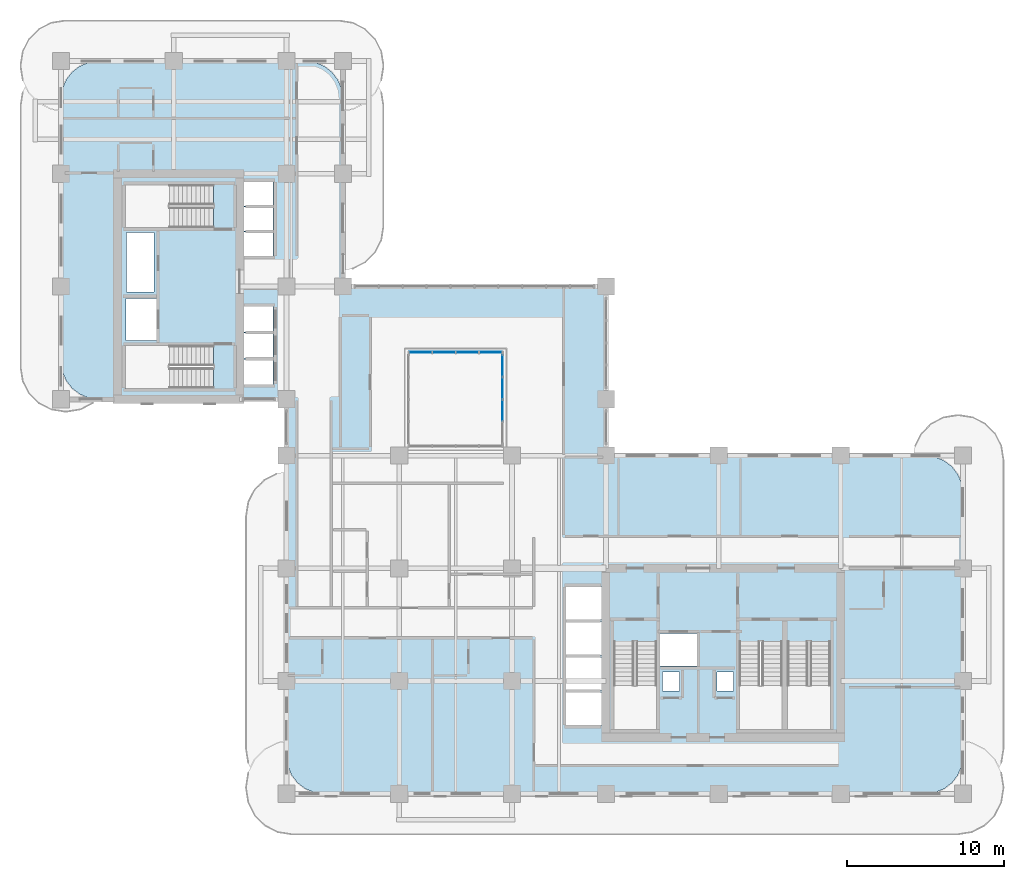
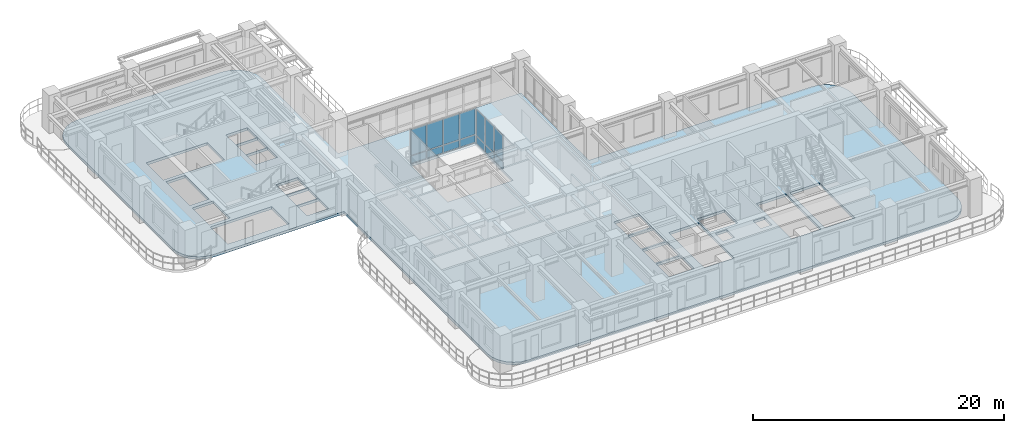
# One storey, part 9 of 22: 14 plates, 1 slab, 2 elements without a shape of their own.
"""IFC4 building model written with IfcOpenShell, lengths in metres."""

from ifc_helpers import new_model, si_unit, derived_unit, direction, frame, origin, origin_2d, place, context, subcontext, project, spatial, polyline, rectangle, outline, extrude, source, transform, mapped, material, layer, layer_set, type_object, element, aggregate, save


model = new_model("IFC4")

# Units and contexts
model_context = context("Model", 3, precision=1e-05, world=origin(), true_north=direction((0.0, 1.0)))
body_context = subcontext(model_context, "Body", "Model", "MODEL_VIEW")
ifc_project = project(units=[si_unit("LENGTHUNIT", "METRE"), si_unit("AREAUNIT", "SQUARE_METRE"), si_unit("VOLUMEUNIT", "CUBIC_METRE"), si_unit("PLANEANGLEUNIT", "RADIAN"), si_unit("MASSUNIT", "GRAM", prefix="KILO"), si_unit("THERMODYNAMICTEMPERATUREUNIT", "KELVIN"), si_unit("POWERUNIT", "WATT"), derived_unit("THERMALTRANSMITTANCEUNIT", [(si_unit("POWERUNIT", "WATT"), 1), (si_unit("AREAUNIT", "SQUARE_METRE"), -1), (si_unit("THERMODYNAMICTEMPERATUREUNIT", "KELVIN"), -1)])], contexts=[model_context])

# Site, building, storey
site_placement = place(None, origin())
site = spatial("IfcSite", under=ifc_project, at=site_placement, CompositionType="ELEMENT")
building_placement = place(site_placement, origin())
building = spatial("IfcBuilding", under=site, at=building_placement, Name="Zahravan Archway Hotel and Residences", CompositionType="ELEMENT")
storey_placement = place(building_placement, frame((0.0, 0.0, 91.60009765625)))
storey = spatial("IfcBuildingStorey", under=building, at=storey_placement, Name="L22", CompositionType="ELEMENT", Elevation=91.60009765625)

# Slab
ifc_material_1 = material(Name="Concrete C45/55", Category="concrete")
ifc_layer_1 = layer(ifc_material_1, 0.25, Name="Concrete C45/55", Category="concrete")
ifc_layer_set_1 = layer_set([ifc_layer_1], Name="Concrete C45/55")
slab_type = type_object("IfcSlabType", Name="SLB-FLR-250", PredefinedType="FLOOR", material=ifc_layer_set_1)
slab_placement = place(storey_placement, frame((0.0, 0.0, -0.25)))
element("IfcSlab", 1, at=slab_placement, inside=storey, type_object=slab_type, Name="L22 Floor Slab LB", PredefinedType="FLOOR", context=body_context, shape_type="SweptSolid", body=[
    extrude(outline(polyline([(34.800048828125, 21.60009765625), (34.800048828125, 32.39990234375), (18.0, 32.39990234375), (18.0, 44.39990234375), (17.918212890625, 45.021240234375), (17.678466796875, 45.60009765625), (17.297119140625, 46.09716796875), (16.800048828125, 46.478515625), (16.22119140625, 46.71826171875), (15.60009765625, 46.800048828125), (2.39990234375, 46.800048828125), (1.77880859375, 46.71826171875), (1.199951171875, 46.478515625), (0.702880859375, 46.09716796875), (0.321533203125, 45.60009765625), (0.081787109375, 45.021240234375), (0.0, 44.39990234375), (0.0, 27.60009765625), (0.081787109375, 26.978759765625), (0.321533203125, 26.39990234375), (0.702880859375, 25.90283203125), (1.199951171875, 25.521484375), (1.77880859375, 25.28173828125), (2.39990234375, 25.199951171875), (14.39990234375, 25.199951171875), (14.39990234375, 19.199951171875), (14.39990234375, 19.10009765625), (14.39990234375, 2.39990234375), (14.481689453125, 1.77880859375), (14.721435546875, 1.199951171875), (15.102783203125, 0.702880859375), (15.60009765625, 0.321533203125), (16.1787109375, 0.081787109375), (16.800048828125, 0.0), (55.199951171875, 0.0), (55.8212890625, 0.081787109375), (56.39990234375, 0.321533203125), (56.897216796875, 0.702880859375), (57.278564453125, 1.199951171875), (57.518310546875, 1.77880859375), (57.60009765625, 2.39990234375), (57.60009765625, 19.199951171875), (57.518310546875, 19.8212890625), (57.278564453125, 20.39990234375), (56.897216796875, 20.897216796875), (56.39990234375, 21.278564453125), (55.8212890625, 21.518310546875), (55.199951171875, 21.60009765625), (34.800048828125, 21.60009765625)]), holes=[polyline([(35.300048828125, 9.72998046875), (35.300048828125, 4.10009765625), (38.0400390625, 4.10009765625), (38.0400390625, 9.72998046875), (35.300048828125, 9.72998046875)]), polyline([(43.320068359375, 9.72998046875), (43.320068359375, 4.10009765625), (46.06005859375, 4.10009765625), (46.06005859375, 9.72998046875), (43.320068359375, 9.72998046875)]), polyline([(46.39990234375, 9.72998046875), (46.39990234375, 4.10009765625), (49.139892578125, 4.10009765625), (49.139892578125, 9.72998046875), (46.39990234375, 9.72998046875)]), polyline([(9.72998046875, 28.639892578125), (4.10009765625, 28.639892578125), (4.10009765625, 25.89990234375), (9.72998046875, 25.89990234375), (9.72998046875, 28.639892578125)]), polyline([(9.72998046875, 38.89990234375), (4.10009765625, 38.89990234375), (4.10009765625, 36.159912109375), (9.72998046875, 36.159912109375), (9.72998046875, 38.89990234375)]), polyline([(38.179931640625, 8.14990234375), (40.699951171875, 8.14990234375), (40.699951171875, 10.25), (38.179931640625, 10.25), (38.179931640625, 8.14990234375)]), polyline([(4.14990234375, 28.949951171875), (6.10009765625, 28.949951171875), (6.10009765625, 31.64990234375), (4.14990234375, 31.64990234375), (4.14990234375, 28.949951171875)]), polyline([(11.550048828125, 26.14990234375), (13.550048828125, 26.14990234375), (13.550048828125, 27.75), (11.550048828125, 27.75), (11.550048828125, 26.14990234375)]), polyline([(11.550048828125, 27.830078125), (13.550048828125, 27.830078125), (13.550048828125, 29.429931640625), (11.550048828125, 29.429931640625), (11.550048828125, 27.830078125)]), polyline([(11.550048828125, 29.510009765625), (13.550048828125, 29.510009765625), (13.550048828125, 31.110107421875), (11.550048828125, 31.110107421875), (11.550048828125, 29.510009765625)]), polyline([(11.550048828125, 34.35009765625), (13.550048828125, 34.35009765625), (13.550048828125, 35.889892578125), (11.550048828125, 35.889892578125), (11.550048828125, 34.35009765625)]), polyline([(11.550048828125, 35.949951171875), (13.550048828125, 35.949951171875), (13.550048828125, 37.489990234375), (11.550048828125, 37.489990234375), (11.550048828125, 35.949951171875)]), polyline([(11.550048828125, 37.550048828125), (13.550048828125, 37.550048828125), (13.550048828125, 39.090087890625), (11.550048828125, 39.090087890625), (11.550048828125, 37.550048828125)]), polyline([(32.25, 4.39990234375), (34.550048828125, 4.39990234375), (34.550048828125, 6.47998046875), (32.25, 6.47998046875), (32.25, 4.39990234375)]), polyline([(32.25, 6.639892578125), (34.550048828125, 6.639892578125), (34.550048828125, 8.719970703125), (32.25, 8.719970703125), (32.25, 6.639892578125)]), polyline([(32.25, 8.8798828125), (34.550048828125, 8.8798828125), (34.550048828125, 10.9599609375), (32.25, 10.9599609375), (32.25, 8.8798828125)]), polyline([(32.25, 11.1201171875), (34.550048828125, 11.1201171875), (34.550048828125, 13.199951171875), (32.25, 13.199951171875), (32.25, 11.1201171875)]), polyline([(22.199951171875, 22.199951171875), (28.199951171875, 22.199951171875), (28.199951171875, 28.199951171875), (22.199951171875, 28.199951171875), (22.199951171875, 22.199951171875)]), polyline([(38.419921875, 6.56005859375), (39.5, 6.56005859375), (39.5, 7.780029296875), (38.419921875, 7.780029296875), (38.419921875, 6.56005859375)]), polyline([(41.89990234375, 6.56005859375), (42.9599609375, 6.56005859375), (42.9599609375, 7.780029296875), (41.89990234375, 7.780029296875), (41.89990234375, 6.56005859375)]), polyline([(4.179931640625, 32.050048828125), (5.93994140625, 32.050048828125), (5.93994140625, 35.840087890625), (4.179931640625, 35.840087890625), (4.179931640625, 32.050048828125)])]), origin(), (0.0, 0.0, 1.0), 0.25),
])

# Curtain wall, plates
ifc_material_2 = material(Name="Bronze-Anodized Unitised Aluminium & Low-E Glass", Category="aluminium")
ifc_layer_2 = layer(ifc_material_2, 0.179931640625, Name="Bronze-Anodized Unitised Aluminium & Low-E Glass", Category="aluminium")
ifc_layer_set_2 = layer_set([ifc_layer_2], Name="Bronze-Anodized Unitised Aluminium & Low-E Glass")
curtain_wall_type = type_object("IfcCurtainWallType", Name="CW-ATR-GLAZ", PredefinedType="NOTDEFINED", material=ifc_layer_set_2)
curtain_wall_1_placement = place(storey_placement, origin())
curtain_wall_1 = element("IfcCurtainWall", 2, at=curtain_wall_1_placement, inside=storey, type_object=curtain_wall_type, Name="L22 Curtain Wall CW-ATR-L22-N-1", PredefinedType="NOTDEFINED")
ifc_material_3 = material(Name="Insulated Terracotta Spandrel Panel", Category="masonry")
ifc_layer_3 = layer(ifc_material_3, 0.0400390625, Name="Insulated Terracotta Spandrel Panel", Category="masonry")
ifc_layer_set_3 = layer_set([ifc_layer_3], Name="Insulated Terracotta Spandrel Panel")
plate_type_1 = type_object("IfcPlateType", Name="CWP-SPN-40", PredefinedType="SHEET", material=ifc_layer_set_3)
shared_shape_1 = source(origin(), body_context, "Body", "SweptSolid", [
    extrude(rectangle(XDim=1.419921875, YDim=0.0400390625, at=origin_2d()), origin(), (0.0, 0.0, 1.0), 0.68798828125),
])
plate_1_placement = place(storey_placement, frame((22.949951171875, 28.199951171875, 0.099853515625), z_axis=(0.0, 0.0, 1.0), x_axis=(1.0, 0.0, 0.0)))
plate_1 = element("IfcPlate", 3, at=plate_1_placement, type_object=plate_type_1, Name="CW-ATR-L22-N-1 Spandrel Panel 0", PredefinedType="SHEET", context=body_context, shape_type="MappedRepresentation", body=[
    mapped(shared_shape_1, transform((0.0, 0.0, 0.0), scale=1.0)),
])
plate_2_placement = place(storey_placement, frame((24.449951171875, 28.199951171875, 0.099853515625), z_axis=(0.0, 0.0, 1.0), x_axis=(1.0, 0.0, 0.0)))
plate_2 = element("IfcPlate", 4, at=plate_2_placement, type_object=plate_type_1, Name="CW-ATR-L22-N-1 Spandrel Panel 1", PredefinedType="SHEET", context=body_context, shape_type="MappedRepresentation", body=[
    mapped(shared_shape_1, transform((0.0, 0.0, 0.0), scale=1.0)),
])
plate_3_placement = place(storey_placement, frame((25.949951171875, 28.199951171875, 0.099853515625), z_axis=(0.0, 0.0, 1.0), x_axis=(1.0, 0.0, 0.0)))
plate_3 = element("IfcPlate", 5, at=plate_3_placement, type_object=plate_type_1, Name="CW-ATR-L22-N-1 Spandrel Panel 2", PredefinedType="SHEET", context=body_context, shape_type="MappedRepresentation", body=[
    mapped(shared_shape_1, transform((0.0, 0.0, 0.0), scale=1.0)),
])
plate_4_placement = place(storey_placement, frame((27.449951171875, 28.199951171875, 0.099853515625), z_axis=(0.0, 0.0, 1.0), x_axis=(1.0, 0.0, 0.0)))
plate_4 = element("IfcPlate", 6, at=plate_4_placement, type_object=plate_type_1, Name="CW-ATR-L22-N-1 Spandrel Panel 3", PredefinedType="SHEET", context=body_context, shape_type="MappedRepresentation", body=[
    mapped(shared_shape_1, transform((0.0, 0.0, 0.0), scale=1.0)),
])
ifc_material_4 = material(Name="Double-Silver Low-E Insulated Vision Glass", Category="glass")
ifc_layer_4 = layer(ifc_material_4, 0.028076171875, Name="Double-Silver Low-E Insulated Vision Glass", Category="glass")
ifc_layer_set_4 = layer_set([ifc_layer_4], Name="Double-Silver Low-E Insulated Vision Glass")
plate_type_2 = type_object("IfcPlateType", Name="CWP-GLZ-28", PredefinedType="CURTAIN_PANEL", material=ifc_layer_set_4)
shared_shape_2 = source(origin(), body_context, "Body", "SweptSolid", [
    extrude(rectangle(XDim=1.419921875, YDim=0.028076171875, at=origin_2d()), origin(), (0.0, 0.0, 1.0), 2.48193359375),
])
plate_5_placement = place(storey_placement, frame((22.949951171875, 28.199951171875, 0.867919921875), z_axis=(0.0, 0.0, 1.0), x_axis=(1.0, 0.0, 0.0)))
plate_5 = element("IfcPlate", 7, at=plate_5_placement, type_object=plate_type_2, Name="CW-ATR-L22-N-1 Low-E Vision Panel 0", PredefinedType="CURTAIN_PANEL", context=body_context, shape_type="MappedRepresentation", body=[
    mapped(shared_shape_2, transform((0.0, 0.0, 0.0), scale=1.0)),
])
plate_6_placement = place(storey_placement, frame((24.449951171875, 28.199951171875, 0.867919921875), z_axis=(0.0, 0.0, 1.0), x_axis=(1.0, 0.0, 0.0)))
plate_6 = element("IfcPlate", 8, at=plate_6_placement, type_object=plate_type_2, Name="CW-ATR-L22-N-1 Low-E Vision Panel 1", PredefinedType="CURTAIN_PANEL", context=body_context, shape_type="MappedRepresentation", body=[
    mapped(shared_shape_2, transform((0.0, 0.0, 0.0), scale=1.0)),
])
plate_7_placement = place(storey_placement, frame((25.949951171875, 28.199951171875, 0.867919921875), z_axis=(0.0, 0.0, 1.0), x_axis=(1.0, 0.0, 0.0)))
plate_7 = element("IfcPlate", 9, at=plate_7_placement, type_object=plate_type_2, Name="CW-ATR-L22-N-1 Low-E Vision Panel 2", PredefinedType="CURTAIN_PANEL", context=body_context, shape_type="MappedRepresentation", body=[
    mapped(shared_shape_2, transform((0.0, 0.0, 0.0), scale=1.0)),
])
plate_8_placement = place(storey_placement, frame((27.449951171875, 28.199951171875, 0.867919921875), z_axis=(0.0, 0.0, 1.0), x_axis=(1.0, 0.0, 0.0)))
plate_8 = element("IfcPlate", 10, at=plate_8_placement, type_object=plate_type_2, Name="CW-ATR-L22-N-1 Low-E Vision Panel 3", PredefinedType="CURTAIN_PANEL", context=body_context, shape_type="MappedRepresentation", body=[
    mapped(shared_shape_2, transform((0.0, 0.0, 0.0), scale=1.0)),
])
aggregate(curtain_wall_1, [plate_1, plate_5, plate_2, plate_6, plate_3, plate_7, plate_4, plate_8])

curtain_wall_2_placement = place(storey_placement, origin())
curtain_wall_2 = element("IfcCurtainWall", 11, at=curtain_wall_2_placement, inside=storey, type_object=curtain_wall_type, Name="L22 Curtain Wall CW-ATR-L22-E-1", PredefinedType="NOTDEFINED")
shared_shape_3 = source(origin(), body_context, "Body", "SweptSolid", [
    extrude(rectangle(XDim=1.344970703125, YDim=0.0400390625, at=origin_2d()), origin(), (0.0, 0.0, 1.0), 0.68798828125),
])
plate_9_placement = place(storey_placement, frame((28.199951171875, 24.487548828125, 0.099853515625), z_axis=(0.0, 0.0, 1.0), x_axis=(0.0, 1.0, 0.0)))
plate_9 = element("IfcPlate", 12, at=plate_9_placement, type_object=plate_type_1, Name="CW-ATR-L22-E-1 Spandrel Panel 1", PredefinedType="SHEET", context=body_context, shape_type="MappedRepresentation", body=[
    mapped(shared_shape_3, transform((0.0, 0.0, 0.0), scale=1.0)),
])
plate_10_placement = place(storey_placement, frame((28.199951171875, 25.91259765625, 0.099853515625), z_axis=(0.0, 0.0, 1.0), x_axis=(0.0, 1.0, 0.0)))
plate_10 = element("IfcPlate", 13, at=plate_10_placement, type_object=plate_type_1, Name="CW-ATR-L22-E-1 Spandrel Panel 2", PredefinedType="SHEET", context=body_context, shape_type="MappedRepresentation", body=[
    mapped(shared_shape_3, transform((0.0, 0.0, 0.0), scale=1.0)),
])
plate_11_placement = place(storey_placement, frame((28.199951171875, 27.33740234375, 0.099853515625), z_axis=(0.0, 0.0, 1.0), x_axis=(0.0, 1.0, 0.0)))
plate_11 = element("IfcPlate", 14, at=plate_11_placement, type_object=plate_type_1, Name="CW-ATR-L22-E-1 Spandrel Panel 3", PredefinedType="SHEET", context=body_context, shape_type="MappedRepresentation", body=[
    mapped(shared_shape_3, transform((0.0, 0.0, 0.0), scale=1.0)),
])
shared_shape_4 = source(origin(), body_context, "Body", "SweptSolid", [
    extrude(rectangle(XDim=1.344970703125, YDim=0.028076171875, at=origin_2d()), origin(), (0.0, 0.0, 1.0), 2.48193359375),
])
plate_12_placement = place(storey_placement, frame((28.199951171875, 24.487548828125, 0.867919921875), z_axis=(0.0, 0.0, 1.0), x_axis=(0.0, 1.0, 0.0)))
plate_12 = element("IfcPlate", 15, at=plate_12_placement, type_object=plate_type_2, Name="CW-ATR-L22-E-1 Low-E Vision Panel 1", PredefinedType="CURTAIN_PANEL", context=body_context, shape_type="MappedRepresentation", body=[
    mapped(shared_shape_4, transform((0.0, 0.0, 0.0), scale=1.0)),
])
plate_13_placement = place(storey_placement, frame((28.199951171875, 25.91259765625, 0.867919921875), z_axis=(0.0, 0.0, 1.0), x_axis=(0.0, 1.0, 0.0)))
plate_13 = element("IfcPlate", 16, at=plate_13_placement, type_object=plate_type_2, Name="CW-ATR-L22-E-1 Low-E Vision Panel 2", PredefinedType="CURTAIN_PANEL", context=body_context, shape_type="MappedRepresentation", body=[
    mapped(shared_shape_4, transform((0.0, 0.0, 0.0), scale=1.0)),
])
plate_14_placement = place(storey_placement, frame((28.199951171875, 27.33740234375, 0.867919921875), z_axis=(0.0, 0.0, 1.0), x_axis=(0.0, 1.0, 0.0)))
plate_14 = element("IfcPlate", 17, at=plate_14_placement, type_object=plate_type_2, Name="CW-ATR-L22-E-1 Low-E Vision Panel 3", PredefinedType="CURTAIN_PANEL", context=body_context, shape_type="MappedRepresentation", body=[
    mapped(shared_shape_4, transform((0.0, 0.0, 0.0), scale=1.0)),
])
aggregate(curtain_wall_2, [plate_9, plate_12, plate_10, plate_13, plate_11, plate_14])

save(model, "model.ifc")
